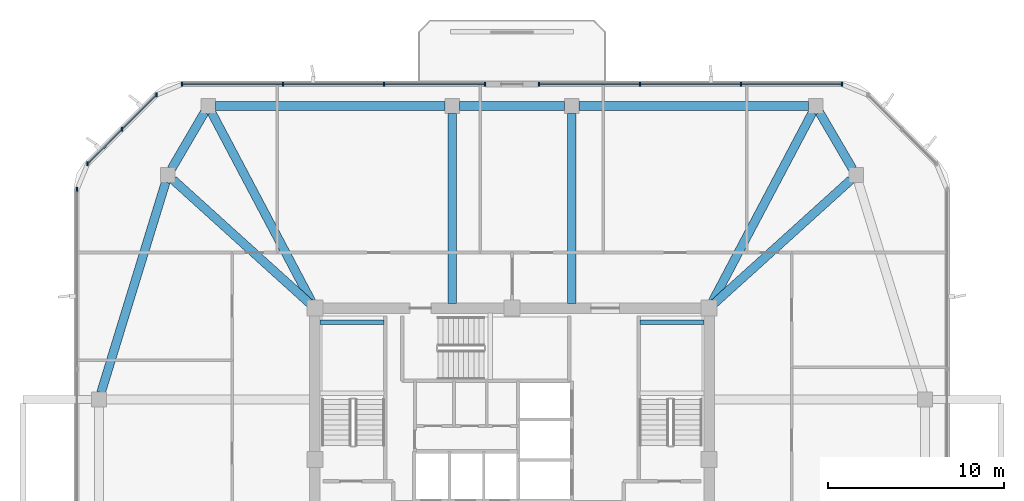
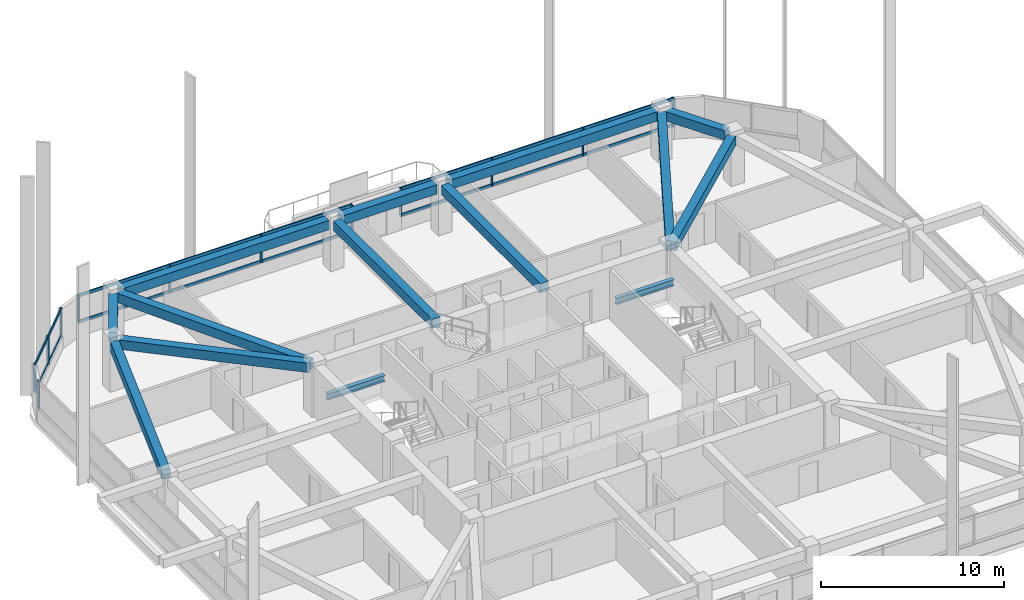
# One storey, part 4 of 13: 18 members, 14 beams, 4 elements without a shape of their own.
"""IFC4 building model written with IfcOpenShell, lengths in metres."""

import ifcopenshell
import ifcopenshell.guid

model = None  # the IFC model being written
_history = None  # IfcOwnerHistory: only IFC2X3 demands one
_inside = {}  # id of a spatial element -> (the spatial element, [elements in it])
_under = {}  # id of a project, library or spatial element -> (it, [spatial elements below it])
_declared = {}  # id of a project -> (the project, [libraries it declares])
_typed = {}  # id of a type object -> (the type object, [elements of that type])
_made_of = {}  # id of a material, layer set ... -> (it, [elements and type objects made of it])


def new_model(schema):
    """Start an empty IFC model of exactly this schema.

    Asked for "IFC4X3", IfcOpenShell would pick the latest addendum, in which some entities
    have other attributes; the version numbers below select the first issue.
    IFC2X3 requires an IfcOwnerHistory on every rooted entity: one is made here for all.
    """
    global model, _history
    if schema == "IFC4X3":
        model = ifcopenshell.file(schema_version=(4, 3, 0, 0))
    else:
        model = ifcopenshell.file(schema=schema)
    _inside.clear()
    _under.clear()
    _declared.clear()
    _typed.clear()
    _made_of.clear()
    _history = None
    if model.schema == "IFC2X3":
        org = make("IfcOrganization", Name="unknown")
        user = make(
            "IfcPersonAndOrganization",
            ThePerson=make("IfcPerson", FamilyName="unknown"),
            TheOrganization=org,
        )
        app = make(
            "IfcApplication",
            ApplicationDeveloper=org,
            Version="unknown",
            ApplicationFullName="unknown",
            ApplicationIdentifier="unknown",
        )
        _history = make(
            "IfcOwnerHistory",
            OwningUser=user,
            OwningApplication=app,
            ChangeAction="ADDED",
            CreationDate=0,
        )
    return model


def make(cls, **values):
    """One entity of the class cls with the attributes given. An attribute that is None is left unset."""
    return model.create_entity(
        cls, **{name: value for name, value in values.items() if value is not None}
    )


def rooted(cls, **values):
    """An entity with a GlobalId (a new one), such as an element, a storey or a relation."""
    return make(cls, GlobalId=ifcopenshell.guid.new(), OwnerHistory=_history, **values)


def si_unit(unit_type, name, prefix=None):
    """IfcSIUnit, for example si_unit("LENGTHUNIT", "METRE", prefix="MILLI")."""
    return make("IfcSIUnit", UnitType=unit_type, Prefix=prefix, Name=name)


def derived_unit(unit_type, elements):
    """IfcDerivedUnit: a product of units, each with its exponent."""
    return make(
        "IfcDerivedUnit",
        Elements=[
            make("IfcDerivedUnitElement", Unit=unit, Exponent=power)
            for unit, power in elements
        ],
        UnitType=unit_type,
    )


def assignment(units):
    """IfcUnitAssignment: the units of a project."""
    return None if units is None else make("IfcUnitAssignment", Units=units)


def point(xyz):
    """IfcCartesianPoint."""
    return None if xyz is None else make("IfcCartesianPoint", Coordinates=xyz)


def direction(xyz):
    """IfcDirection."""
    return None if xyz is None else make("IfcDirection", DirectionRatios=xyz)


def frame(location, z_axis=None, x_axis=None):
    """IfcAxis2Placement3D, a coordinate frame: its origin and axes. An axis left out is left unset."""
    return make(
        "IfcAxis2Placement3D",
        Location=point(location),
        Axis=direction(z_axis),
        RefDirection=direction(x_axis),
    )


def frame_2d(location, x_axis=None):
    """IfcAxis2Placement2D, a coordinate frame in the plane: its origin and x axis."""
    return make(
        "IfcAxis2Placement2D", Location=point(location), RefDirection=direction(x_axis)
    )


def origin():
    """The frame at (0, 0, 0) with its axes left unset."""
    return frame((0.0, 0.0, 0.0))


def origin_2d():
    """The frame at (0, 0) in the plane with its x axis left unset."""
    return frame_2d((0.0, 0.0))


def place(relative_to, where):
    """IfcLocalPlacement: puts the frame where relative to a parent placement (None: the world)."""
    return make(
        "IfcLocalPlacement", PlacementRelTo=relative_to, RelativePlacement=where
    )


def context(
    kind, dimensions, precision=None, world=None, true_north=None, identifier=None
):
    """IfcGeometricRepresentationContext, for example the 3D "Model" context."""
    return make(
        "IfcGeometricRepresentationContext",
        ContextIdentifier=identifier,
        ContextType=kind,
        CoordinateSpaceDimension=dimensions,
        Precision=precision,
        WorldCoordinateSystem=world,
        TrueNorth=true_north,
    )


def subcontext(parent, identifier, kind, view, scale=None):
    """IfcGeometricRepresentationSubContext, for example "Body" below "Model"."""
    return make(
        "IfcGeometricRepresentationSubContext",
        ContextIdentifier=identifier,
        ContextType=kind,
        ParentContext=parent,
        TargetScale=scale,
        TargetView=view,
    )


def project(units=None, contexts=None):
    """IfcProject with its units and contexts."""
    return rooted(
        "IfcProject",
        Name="project",
        RepresentationContexts=contexts,
        UnitsInContext=assignment(units),
    )


def spatial(cls, under=None, at=None, **own):
    """A site, building, storey or space (cls), placed at a placement, below another one or the project."""
    s = rooted(cls, ObjectPlacement=at, **own)
    if under is not None:
        _under.setdefault(under.id(), (under, []))[1].append(s)
    return s


def profile(cls, at=None, kind="AREA", **sizes):
    """A parametric profile (cls). Its sizes go by their IFC names, for example OverallWidth=200.0."""
    return make(cls, ProfileType=kind, Position=at, **sizes)


def rectangle(**sizes):
    """IfcRectangleProfileDef."""
    return profile("IfcRectangleProfileDef", **sizes)


def i_section(**sizes):
    """IfcIShapeProfileDef."""
    return profile("IfcIShapeProfileDef", **sizes)


def extrude(swept, where, along, depth):
    """IfcExtrudedAreaSolid: the profile swept, set in the frame where, extruded along a direction by depth."""
    return make(
        "IfcExtrudedAreaSolid",
        SweptArea=swept,
        Position=where,
        ExtrudedDirection=direction(along),
        Depth=depth,
    )


def shape(context_of_items, identifier, shape_type, items):
    """IfcShapeRepresentation: the items that make up one representation, for example the "Body"."""
    return make(
        "IfcShapeRepresentation",
        ContextOfItems=context_of_items,
        RepresentationIdentifier=identifier,
        RepresentationType=shape_type,
        Items=items,
    )


def material(Name=None, Category=None):
    """IfcMaterial."""
    return make("IfcMaterial", Name=Name, Category=Category)


def material_profile(
    of_material, cross_section, Name=None, Category=None, Priority=None
):
    """IfcMaterialProfile: a cross section and its material."""
    return make(
        "IfcMaterialProfile",
        Name=Name,
        Material=of_material,
        Profile=cross_section,
        Priority=Priority,
        Category=Category,
    )


def profile_set(profiles, Name=None, composite=None):
    """IfcMaterialProfileSet."""
    return make(
        "IfcMaterialProfileSet",
        Name=Name,
        MaterialProfiles=profiles,
        CompositeProfile=composite,
    )


def made_of(thing, what):
    """Note that an element or type object is made of a material, layer set ...; save() writes the relation."""
    if what is not None:
        _made_of.setdefault(what.id(), (what, []))[1].append(thing)
    return thing


def type_object(cls, material=None, **own):
    """A type object (cls), such as IfcWallType, which elements share."""
    return made_of(rooted(cls, **own), material)


def element(
    cls,
    number,
    at=None,
    inside=None,
    cuts=None,
    type_object=None,
    material=None,
    context=None,
    identifier="Body",
    shape_type=None,
    held_by="IfcProductDefinitionShape",
    body=None,
    shapes=None,
    **own,
):
    """One element of the class cls, such as IfcWall. Its Tag is "e" and its number.

    at: its placement. inside: the storey or other place that contains it. cuts: it is an
    opening in that element (IfcRelVoidsElement). A single representation is given by context,
    identifier, shape_type and body (its items); several are given by shapes. held_by: the class
    of the entity that holds the representations. save() writes the other relations.
    """
    e = rooted(cls, Tag="e%d" % number, ObjectPlacement=at, **own)
    if body is not None:
        shapes = [shape(context, identifier, shape_type, body)]
    if shapes is not None:
        e.Representation = make(held_by, Representations=shapes)
    if inside is not None:
        _inside.setdefault(inside.id(), (inside, []))[1].append(e)
    if cuts is not None:
        rooted(
            "IfcRelVoidsElement", RelatingBuildingElement=cuts, RelatedOpeningElement=e
        )
    if type_object is not None:
        _typed.setdefault(type_object.id(), (type_object, []))[1].append(e)
    return made_of(e, material)


def aggregate(whole, parts):
    """IfcRelAggregates: a whole, such as a stair, and the parts it consists of."""
    return rooted("IfcRelAggregates", RelatingObject=whole, RelatedObjects=parts)


def save(model, path):
    """Write the relations noted so far, then the file.

    IfcRelAggregates (storeys below a building ...), IfcRelContainedInSpatialStructure (elements
    in a storey), IfcRelDefinesByType, IfcRelAssociatesMaterial and IfcRelDeclares: one each for
    every whole, place, type object, material and project.
    """
    for whole, parts in _under.values():
        aggregate(whole, parts)
    for where, things in _inside.values():
        rooted(
            "IfcRelContainedInSpatialStructure",
            RelatedElements=things,
            RelatingStructure=where,
        )
    for kind, things in _typed.values():
        rooted("IfcRelDefinesByType", RelatedObjects=things, RelatingType=kind)
    for what, things in _made_of.values():
        rooted("IfcRelAssociatesMaterial", RelatedObjects=things, RelatingMaterial=what)
    for by, libraries in _declared.values():
        rooted("IfcRelDeclares", RelatingContext=by, RelatedDefinitions=libraries)
    model.write(path)


model = new_model("IFC4")

# Units and contexts
model_context = context("Model", 3, precision=1e-05, world=origin(), true_north=direction((0.0, 1.0)))
body_context = subcontext(model_context, "Body", "Model", "MODEL_VIEW")
ifc_project = project(units=[si_unit("LENGTHUNIT", "METRE"), si_unit("AREAUNIT", "SQUARE_METRE"), si_unit("VOLUMEUNIT", "CUBIC_METRE"), si_unit("PLANEANGLEUNIT", "RADIAN"), si_unit("MASSUNIT", "GRAM", prefix="KILO"), derived_unit("THERMALTRANSMITTANCEUNIT", [(si_unit("POWERUNIT", "WATT"), 1), (si_unit("LENGTHUNIT", "METRE"), -2), (si_unit("THERMODYNAMICTEMPERATUREUNIT", "KELVIN"), -1)])], contexts=[model_context])

# Site, building, storey
site_placement = place(None, origin())
site = spatial("IfcSite", under=ifc_project, at=site_placement, CompositionType="ELEMENT")
building_placement = place(site_placement, origin())
building = spatial("IfcBuilding", under=site, at=building_placement, Name="Koralith Skygarden Medical Center", CompositionType="ELEMENT")
storey_placement = place(building_placement, frame((0.0, 0.0, 253.6201171875)))
storey = spatial("IfcBuildingStorey", under=building, at=storey_placement, Name="L65", CompositionType="ELEMENT", Elevation=253.6201171875)

# Curtain wall, members
ifc_material_1 = material(Name="Clear Laminated Glass", Category="glass")
curtain_wall_type = type_object("IfcCurtainWallType", Name="CW-6 Zone 5 Upper Clinical Curtain Wall", PredefinedType="NOTDEFINED", material=ifc_material_1)
curtain_wall_1_placement = place(storey_placement, origin())
curtain_wall_1 = element("IfcCurtainWall", 1, at=curtain_wall_1_placement, inside=storey, type_object=curtain_wall_type, Name="Curtain Wall CW-L65-N-L", PredefinedType="NOTDEFINED")
ifc_material_2 = material(Name="Aluminium 6063-T6", Category="aluminium")
ifc_material_profile_1 = material_profile(ifc_material_2, rectangle(XDim=0.0830078125, YDim=0.219970703125, at=origin_2d()), Name="MUL83X220")
ifc_profile_set_1 = profile_set([ifc_material_profile_1], Name="Aluminium 6063-T6")
member_type_1 = type_object("IfcMemberType", Name="CW-6 Extruded Mullion 83x220", PredefinedType="MULLION", material=ifc_profile_set_1)
member_1_placement = place(storey_placement, frame((55.7451171875, 47.219970703125, 0.849853515625), z_axis=(0.0, 0.0, 1.0), x_axis=(1.0, 0.0, 0.0)))
member_1 = element("IfcMember", 2, at=member_1_placement, type_object=member_type_1, Name="CW-L65-N-L Mullion 1", PredefinedType="MULLION", context=body_context, shape_type="SweptSolid", body=[
    extrude(rectangle(XDim=0.0830078125, YDim=0.219970703125, at=origin_2d()), origin(), (0.0, 0.0, 1.0), 1.840087890625),
])
member_2_placement = place(storey_placement, frame((50.010009765625, 47.219970703125, 0.849853515625), z_axis=(0.0, 0.0, 1.0), x_axis=(1.0, 0.0, 0.0)))
member_2 = element("IfcMember", 3, at=member_2_placement, type_object=member_type_1, Name="CW-L65-N-L Mullion 2", PredefinedType="MULLION", context=body_context, shape_type="SweptSolid", body=[
    extrude(rectangle(XDim=0.0830078125, YDim=0.219970703125, at=origin_2d()), origin(), (0.0, 0.0, 1.0), 1.840087890625),
])
member_3_placement = place(storey_placement, frame((44.27587890625, 47.219970703125, 0.849853515625), z_axis=(0.0, 0.0, 1.0), x_axis=(1.0, 0.0, 0.0)))
member_3 = element("IfcMember", 4, at=member_3_placement, type_object=member_type_1, Name="CW-L65-N-L Mullion 3", PredefinedType="MULLION", context=body_context, shape_type="SweptSolid", body=[
    extrude(rectangle(XDim=0.0830078125, YDim=0.219970703125, at=origin_2d()), origin(), (0.0, 0.0, 1.0), 1.840087890625),
])
member_4_placement = place(storey_placement, frame((38.541015625, 47.219970703125, 0.849853515625), z_axis=(0.0, 0.0, 1.0), x_axis=(1.0, 0.0, 0.0)))
member_4 = element("IfcMember", 5, at=member_4_placement, type_object=member_type_1, Name="CW-L65-N-L Mullion 4", PredefinedType="MULLION", context=body_context, shape_type="SweptSolid", body=[
    extrude(rectangle(XDim=0.0830078125, YDim=0.219970703125, at=origin_2d()), origin(), (0.0, 0.0, 1.0), 1.840087890625),
])

curtain_wall_2_placement = place(storey_placement, origin())
curtain_wall_2 = element("IfcCurtainWall", 6, at=curtain_wall_2_placement, inside=storey, type_object=curtain_wall_type, Name="Curtain Wall CW-L65-N-R", PredefinedType="NOTDEFINED")
member_5_placement = place(storey_placement, frame((35.4609375, 47.219970703125, 0.849853515625), z_axis=(0.0, 0.0, 1.0), x_axis=(1.0, 0.0, 0.0)))
member_5 = element("IfcMember", 7, at=member_5_placement, type_object=member_type_1, Name="CW-L65-N-R Mullion 1", PredefinedType="MULLION", context=body_context, shape_type="SweptSolid", body=[
    extrude(rectangle(XDim=0.0830078125, YDim=0.219970703125, at=origin_2d()), origin(), (0.0, 0.0, 1.0), 1.840087890625),
])
member_6_placement = place(storey_placement, frame((29.72607421875, 47.219970703125, 0.849853515625), z_axis=(0.0, 0.0, 1.0), x_axis=(1.0, 0.0, 0.0)))
member_6 = element("IfcMember", 8, at=member_6_placement, type_object=member_type_1, Name="CW-L65-N-R Mullion 2", PredefinedType="MULLION", context=body_context, shape_type="SweptSolid", body=[
    extrude(rectangle(XDim=0.0830078125, YDim=0.219970703125, at=origin_2d()), origin(), (0.0, 0.0, 1.0), 1.840087890625),
])
member_7_placement = place(storey_placement, frame((23.989990234375, 47.219970703125, 0.849853515625), z_axis=(0.0, 0.0, 1.0), x_axis=(1.0, 0.0, 0.0)))
member_7 = element("IfcMember", 9, at=member_7_placement, type_object=member_type_1, Name="CW-L65-N-R Mullion 3", PredefinedType="MULLION", context=body_context, shape_type="SweptSolid", body=[
    extrude(rectangle(XDim=0.0830078125, YDim=0.219970703125, at=origin_2d()), origin(), (0.0, 0.0, 1.0), 1.840087890625),
])
member_8_placement = place(storey_placement, frame((18.2548828125, 47.219970703125, 0.849853515625), z_axis=(0.0, 0.0, 1.0), x_axis=(1.0, 0.0, 0.0)))
member_8 = element("IfcMember", 10, at=member_8_placement, type_object=member_type_1, Name="CW-L65-N-R Mullion 4", PredefinedType="MULLION", context=body_context, shape_type="SweptSolid", body=[
    extrude(rectangle(XDim=0.0830078125, YDim=0.219970703125, at=origin_2d()), origin(), (0.0, 0.0, 1.0), 1.840087890625),
])

curtain_wall_3_placement = place(storey_placement, origin())
curtain_wall_3 = element("IfcCurtainWall", 11, at=curtain_wall_3_placement, inside=storey, type_object=curtain_wall_type, Name="Curtain Wall CW-L65-NW", PredefinedType="NOTDEFINED")
member_9_placement = place(storey_placement, frame((16.803955078125, 46.618896484375, 0.849853515625), z_axis=(0.0, 0.0, 1.0), x_axis=(1.0, 0.0, 0.0)))
member_9 = element("IfcMember", 12, at=member_9_placement, type_object=member_type_1, Name="CW-L65-NW Mullion 1", PredefinedType="MULLION", context=body_context, shape_type="SweptSolid", body=[
    extrude(rectangle(XDim=0.0830078125, YDim=0.219970703125, at=origin_2d()), origin(), (0.0, 0.0, 1.0), 1.840087890625),
])
member_10_placement = place(storey_placement, frame((14.842041015625, 44.656982421875, 0.849853515625), z_axis=(0.0, 0.0, 1.0), x_axis=(1.0, 0.0, 0.0)))
member_10 = element("IfcMember", 13, at=member_10_placement, type_object=member_type_1, Name="CW-L65-NW Mullion 2", PredefinedType="MULLION", context=body_context, shape_type="SweptSolid", body=[
    extrude(rectangle(XDim=0.0830078125, YDim=0.219970703125, at=origin_2d()), origin(), (0.0, 0.0, 1.0), 1.840087890625),
])
member_11_placement = place(storey_placement, frame((12.881103515625, 42.696044921875, 0.849853515625), z_axis=(0.0, 0.0, 1.0), x_axis=(1.0, 0.0, 0.0)))
member_11 = element("IfcMember", 14, at=member_11_placement, type_object=member_type_1, Name="CW-L65-NW Mullion 3", PredefinedType="MULLION", context=body_context, shape_type="SweptSolid", body=[
    extrude(rectangle(XDim=0.0830078125, YDim=0.219970703125, at=origin_2d()), origin(), (0.0, 0.0, 1.0), 1.840087890625),
])

# Curtain wall, member
curtain_wall_4_placement = place(storey_placement, origin())
curtain_wall_4 = element("IfcCurtainWall", 15, at=curtain_wall_4_placement, inside=storey, type_object=curtain_wall_type, Name="Curtain Wall CW-L65-W", PredefinedType="NOTDEFINED")
member_12_placement = place(storey_placement, frame((12.280029296875, 41.2451171875, 0.849853515625), z_axis=(0.0, 0.0, 1.0), x_axis=(1.0, 0.0, 0.0)))
member_12 = element("IfcMember", 16, at=member_12_placement, type_object=member_type_1, Name="CW-L65-W Mullion 1", PredefinedType="MULLION", context=body_context, shape_type="SweptSolid", body=[
    extrude(rectangle(XDim=0.0830078125, YDim=0.219970703125, at=origin_2d()), origin(), (0.0, 0.0, 1.0), 1.840087890625),
])
aggregate(curtain_wall_4, [member_12])

# Member
ifc_material_profile_2 = material_profile(ifc_material_2, rectangle(XDim=0.077880859375, YDim=0.197998046875, at=origin_2d()), Name="TRN78X198")
ifc_profile_set_2 = profile_set([ifc_material_profile_2], Name="Aluminium 6063-T6")
member_type_2 = type_object("IfcMemberType", Name="CW-6 Thermal Transom 78x198", PredefinedType="USERDEFINED", material=ifc_profile_set_2)
member_13_placement = place(storey_placement, frame((55.7451171875, 47.219970703125, 0.89990234375), z_axis=(-1.0, 0.0, 0.0), x_axis=(0.0, -1.0, 0.0)))
member_13 = element("IfcMember", 17, at=member_13_placement, type_object=member_type_2, Name="CW-L65-N-L Transom 1", ObjectType="TRANSOM", PredefinedType="USERDEFINED", context=body_context, shape_type="SweptSolid", body=[
    extrude(rectangle(XDim=0.077880859375, YDim=0.197998046875, at=origin_2d()), origin(), (0.0, 0.0, 1.0), 17.2041015625),
])

member_14_placement = place(storey_placement, frame((55.7451171875, 47.219970703125, 2.639892578125), z_axis=(-1.0, 0.0, 0.0), x_axis=(0.0, -1.0, 0.0)))
member_14 = element("IfcMember", 18, at=member_14_placement, type_object=member_type_2, Name="CW-L65-N-L Transom 2", ObjectType="TRANSOM", PredefinedType="USERDEFINED", context=body_context, shape_type="SweptSolid", body=[
    extrude(rectangle(XDim=0.077880859375, YDim=0.197998046875, at=origin_2d()), origin(), (0.0, 0.0, 1.0), 17.2041015625),
])

aggregate(curtain_wall_1, [member_1, member_2, member_3, member_4, member_13, member_14])

member_15_placement = place(storey_placement, frame((35.4609375, 47.219970703125, 0.89990234375), z_axis=(-1.0, 0.0, 0.0), x_axis=(0.0, -1.0, 0.0)))
member_15 = element("IfcMember", 19, at=member_15_placement, type_object=member_type_2, Name="CW-L65-N-R Transom 1", ObjectType="TRANSOM", PredefinedType="USERDEFINED", context=body_context, shape_type="SweptSolid", body=[
    extrude(rectangle(XDim=0.077880859375, YDim=0.197998046875, at=origin_2d()), origin(), (0.0, 0.0, 1.0), 17.2060546875),
])

member_16_placement = place(storey_placement, frame((35.4609375, 47.219970703125, 2.639892578125), z_axis=(-1.0, 0.0, 0.0), x_axis=(0.0, -1.0, 0.0)))
member_16 = element("IfcMember", 20, at=member_16_placement, type_object=member_type_2, Name="CW-L65-N-R Transom 2", ObjectType="TRANSOM", PredefinedType="USERDEFINED", context=body_context, shape_type="SweptSolid", body=[
    extrude(rectangle(XDim=0.077880859375, YDim=0.197998046875, at=origin_2d()), origin(), (0.0, 0.0, 1.0), 17.2060546875),
])

aggregate(curtain_wall_2, [member_5, member_6, member_7, member_8, member_15, member_16])

member_17_placement = place(storey_placement, frame((16.803955078125, 46.618896484375, 0.89990234375), z_axis=(-0.707106781187, -0.707106781187, 0.0), x_axis=(0.707106781187, -0.707106781187, 0.0)))
member_17 = element("IfcMember", 21, at=member_17_placement, type_object=member_type_2, Name="CW-L65-NW Transom 1", ObjectType="TRANSOM", PredefinedType="USERDEFINED", context=body_context, shape_type="SweptSolid", body=[
    extrude(rectangle(XDim=0.077880859375, YDim=0.197998046875, at=origin_2d()), origin(), (0.0, 0.0, 1.0), 5.5478515625),
])

member_18_placement = place(storey_placement, frame((16.803955078125, 46.618896484375, 2.639892578125), z_axis=(-0.707106781187, -0.707106781187, 0.0), x_axis=(0.707106781187, -0.707106781187, 0.0)))
member_18 = element("IfcMember", 22, at=member_18_placement, type_object=member_type_2, Name="CW-L65-NW Transom 2", ObjectType="TRANSOM", PredefinedType="USERDEFINED", context=body_context, shape_type="SweptSolid", body=[
    extrude(rectangle(XDim=0.077880859375, YDim=0.197998046875, at=origin_2d()), origin(), (0.0, 0.0, 1.0), 5.5478515625),
])

aggregate(curtain_wall_3, [member_9, member_10, member_11, member_17, member_18])

# Beams
ifc_material_3 = material(Name="Steel ASTM A992 Grade 50", Category="steel")
ifc_material_profile_3 = material_profile(ifc_material_3, i_section(OverallWidth=0.260009765625, OverallDepth=0.4150390625, WebThickness=0.010009765625, FlangeThickness=0.016845703125, at=origin_2d()), Name="W16X67")
ifc_profile_set_3 = profile_set([ifc_material_profile_3], Name="Steel ASTM A992 Grade 50")
beam_type_1 = type_object("IfcBeamType", Name="Clinical Floor Joist W16X67", PredefinedType="JOIST", material=ifc_profile_set_3)
for number, where, z_axis, x_axis, name in (
    (23, (26.080078125, 33.699951171875, 1.391845703125), (1.0, 0.0, 0.0), (0.0, 1.0, 0.0), "L65 Stair ST1 Half-Landing Support Beam 1B"),
    (24, (44.280029296875, 33.699951171875, 1.391845703125), (1.0, 0.0, 0.0), (0.0, 1.0, 0.0), "L65 Stair ST2 Half-Landing Support Beam 1B"),
):
    element("IfcBeam", number, at=place(storey_placement, frame(where, z_axis=z_axis, x_axis=x_axis)), inside=storey, type_object=beam_type_1, Name=name, PredefinedType="JOIST", context=body_context, shape_type="SweptSolid", body=[
        extrude(i_section(OverallWidth=0.260009765625, OverallDepth=0.4150390625, WebThickness=0.010009765625, FlangeThickness=0.016845703125, at=origin_2d()), origin(), (0.0, 0.0, 1.0), 3.639892578125),
    ])
ifc_material_4 = material(Name="Concrete C45/55", Category="concrete")
ifc_material_profile_4 = material_profile(ifc_material_4, rectangle(XDim=0.5, YDim=0.6201171875, at=origin_2d()), Name="RCB500X620")
ifc_profile_set_4 = profile_set([ifc_material_profile_4], Name="Concrete C45/55")
beam_type_2 = type_object("IfcBeamType", Name="Upper Radial Collector Beam RCB500X620", PredefinedType="BEAM", material=ifc_profile_set_4)
beam_1_placement = place(storey_placement, frame((48.385009765625, 34.66796875, 3.009765625), z_axis=(0.741747768548, 0.670678945438, 0.0), x_axis=(-0.670678945438, 0.741747768548, 0.0)))
element("IfcBeam", 25, at=beam_1_placement, inside=storey, type_object=beam_type_2, Name="L65 Radial Collector Beam RB-10", PredefinedType="BEAM", context=body_context, shape_type="SweptSolid", body=[
    extrude(rectangle(XDim=0.5, YDim=0.6201171875, at=origin_2d()), origin(), (0.0, 0.0, 1.0), 10.611572265625),
])
beam_2_placement = place(storey_placement, frame((48.31689453125, 34.720947265625, 3.009765625), z_axis=(0.467256895772, 0.884121594213, 0.0), x_axis=(-0.884121594213, 0.467256895772, 0.0)))
element("IfcBeam", 26, at=beam_2_placement, inside=storey, type_object=beam_type_2, Name="L65 Radial Collector Beam RB-11", PredefinedType="BEAM", context=body_context, shape_type="SweptSolid", body=[
    extrude(rectangle(XDim=0.5, YDim=0.6201171875, at=origin_2d()), origin(), (0.0, 0.0, 1.0), 12.3251953125),
])
for number, where, z_axis, x_axis, name in (
    (27, (40.39990234375, 34.75, 3.009765625), (0.0, 1.0, 0.0), (-1.0, 0.0, 0.0), "L65 Radial Collector Beam RB-12"),
    (28, (33.60009765625, 34.75, 3.009765625), (0.0, 1.0, 0.0), (-1.0, 0.0, 0.0), "L65 Radial Collector Beam RB-13"),
):
    element("IfcBeam", number, at=place(storey_placement, frame(where, z_axis=z_axis, x_axis=x_axis)), inside=storey, type_object=beam_type_2, Name=name, PredefinedType="BEAM", context=body_context, shape_type="SweptSolid", body=[
        extrude(rectangle(XDim=0.5, YDim=0.6201171875, at=origin_2d()), origin(), (0.0, 0.0, 1.0), 10.820068359375),
    ])
beam_3_placement = place(storey_placement, frame((25.68310546875, 34.720947265625, 3.009765625), z_axis=(-0.467256895772, 0.884121594213, 0.0), x_axis=(-0.884121594213, -0.467256895772, 0.0)))
element("IfcBeam", 29, at=beam_3_placement, inside=storey, type_object=beam_type_2, Name="L65 Radial Collector Beam RB-14", PredefinedType="BEAM", context=body_context, shape_type="SweptSolid", body=[
    extrude(rectangle(XDim=0.5, YDim=0.6201171875, at=origin_2d()), origin(), (0.0, 0.0, 1.0), 12.3251953125),
])
beam_4_placement = place(storey_placement, frame((25.614990234375, 34.66796875, 3.009765625), z_axis=(-0.741747768548, 0.670678945438, 0.0), x_axis=(-0.670678945438, -0.741747768548, 0.0)))
element("IfcBeam", 30, at=beam_4_placement, inside=storey, type_object=beam_type_2, Name="L65 Radial Collector Beam RB-15", PredefinedType="BEAM", context=body_context, shape_type="SweptSolid", body=[
    extrude(rectangle(XDim=0.5, YDim=0.6201171875, at=origin_2d()), origin(), (0.0, 0.0, 1.0), 10.611572265625),
])
ifc_material_profile_5 = material_profile(ifc_material_4, rectangle(XDim=0.5, YDim=0.6201171875, at=origin_2d()), Name="RCB500X620")
ifc_profile_set_5 = profile_set([ifc_material_profile_5], Name="Concrete C45/55")
beam_type_3 = type_object("IfcBeamType", Name="Zone 4-5 Spandrel Beam RCB500X620", PredefinedType="SPANDREL", material=ifc_profile_set_5)
beam_5_placement = place(storey_placement, frame((56.35302734375, 42.4140625, 3.009765625), z_axis=(-0.50473571007, 0.863273921175, 0.0), x_axis=(-0.863273921175, -0.50473571007, 0.0)))
element("IfcBeam", 31, at=beam_5_placement, inside=storey, type_object=beam_type_3, Name="L65 Perimeter Spandrel Beam SP-10", PredefinedType="SPANDREL", context=body_context, shape_type="SweptSolid", body=[
    extrude(rectangle(XDim=0.5, YDim=0.6201171875, at=origin_2d()), origin(), (0.0, 0.0, 1.0), 3.720703125),
])
beam_6_placement = place(storey_placement, frame((53.85791015625, 45.97998046875, 3.009765625), z_axis=(-1.0, 0.0, 0.0), x_axis=(0.0, -1.0, 0.0)))
element("IfcBeam", 32, at=beam_6_placement, inside=storey, type_object=beam_type_3, Name="L65 Perimeter Spandrel Beam SP-11", PredefinedType="SPANDREL", context=body_context, shape_type="SweptSolid", body=[
    extrude(rectangle(XDim=0.5, YDim=0.6201171875, at=origin_2d()), origin(), (0.0, 0.0, 1.0), 13.0478515625),
])
beam_7_placement = place(storey_placement, frame((39.989990234375, 45.97998046875, 3.009765625), z_axis=(-1.0, 0.0, 0.0), x_axis=(0.0, -1.0, 0.0)))
element("IfcBeam", 33, at=beam_7_placement, inside=storey, type_object=beam_type_3, Name="L65 Perimeter Spandrel Beam SP-12", PredefinedType="SPANDREL", context=body_context, shape_type="SweptSolid", body=[
    extrude(rectangle(XDim=0.5, YDim=0.6201171875, at=origin_2d()), origin(), (0.0, 0.0, 1.0), 5.97998046875),
])
beam_8_placement = place(storey_placement, frame((33.18994140625, 45.97998046875, 3.009765625), z_axis=(-1.0, 0.0, 0.0), x_axis=(0.0, -1.0, 0.0)))
element("IfcBeam", 34, at=beam_8_placement, inside=storey, type_object=beam_type_3, Name="L65 Perimeter Spandrel Beam SP-13", PredefinedType="SPANDREL", context=body_context, shape_type="SweptSolid", body=[
    extrude(rectangle(XDim=0.5, YDim=0.6201171875, at=origin_2d()), origin(), (0.0, 0.0, 1.0), 13.0478515625),
])
beam_9_placement = place(storey_placement, frame((19.52490234375, 45.6259765625, 3.009765625), z_axis=(-0.50473571007, -0.863273921175, 0.0), x_axis=(0.863273921175, -0.50473571007, 0.0)))
element("IfcBeam", 35, at=beam_9_placement, inside=storey, type_object=beam_type_3, Name="L65 Perimeter Spandrel Beam SP-14", PredefinedType="SPANDREL", context=body_context, shape_type="SweptSolid", body=[
    extrude(rectangle(XDim=0.5, YDim=0.6201171875, at=origin_2d()), origin(), (0.0, 0.0, 1.0), 3.720703125),
])
beam_10_placement = place(storey_placement, frame((17.320068359375, 41.66796875, 3.009765625), z_axis=(-0.293738023424, -0.955885962652, 0.0), x_axis=(0.955885962652, -0.293738023424, 0.0)))
element("IfcBeam", 36, at=beam_10_placement, inside=storey, type_object=beam_type_3, Name="L65 Perimeter Spandrel Beam SP-15", PredefinedType="SPANDREL", context=body_context, shape_type="SweptSolid", body=[
    extrude(rectangle(XDim=0.5, YDim=0.6201171875, at=origin_2d()), origin(), (0.0, 0.0, 1.0), 12.52880859375),
])

save(model, "model.ifc")
